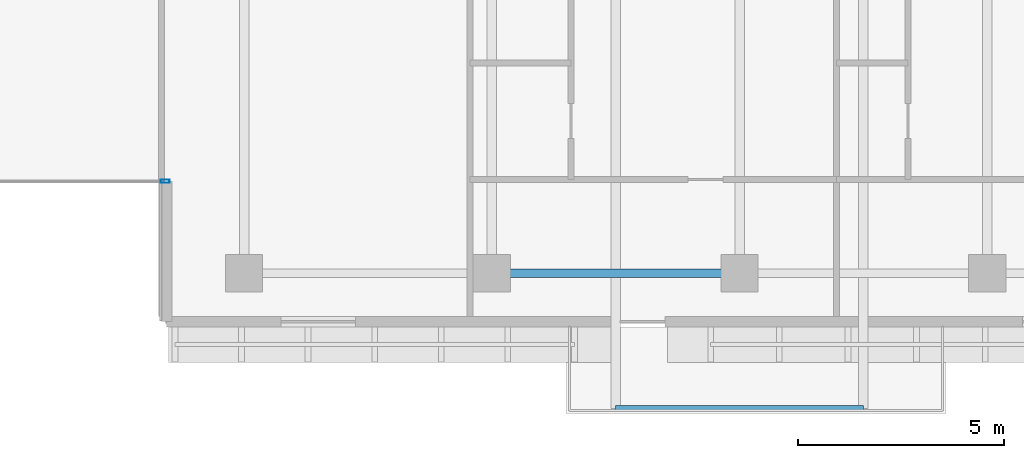
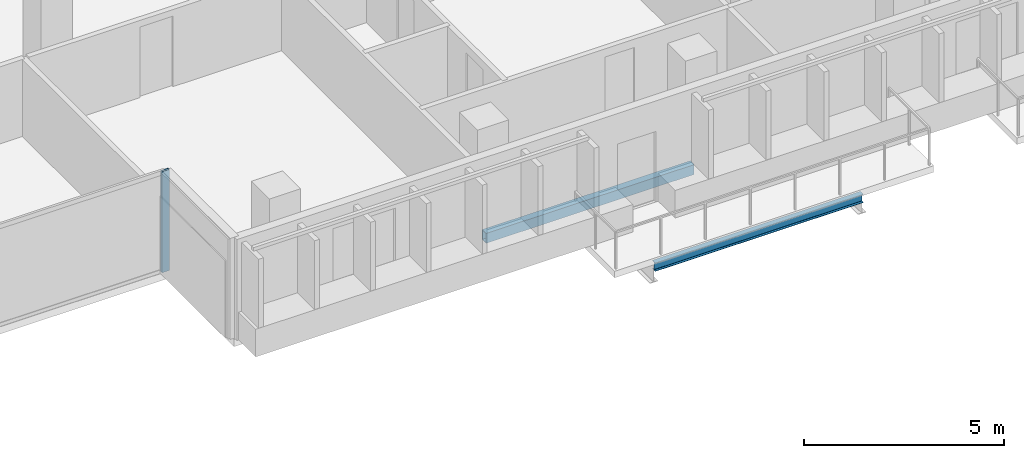
# One storey, part 4 of 20: 2 beams, 1 member, 1 element without a shape of its own.
"""IFC4 building model written with IfcOpenShell, lengths in metres."""

from ifc_helpers import new_model, si_unit, direction, frame, origin, origin_2d, place, context, subcontext, project, spatial, hollow_rectangle, i_section, extrude, material, layer, layer_set, material_profile, profile_set, type_object, element, aggregate, save


model = new_model("IFC4")

# Units and contexts
model_context = context("Model", 3, precision=1e-05, world=origin(), true_north=direction((0.0, 1.0)))
body_context = subcontext(model_context, "Body", "Model", "MODEL_VIEW")
ifc_project = project(units=[si_unit("LENGTHUNIT", "METRE"), si_unit("AREAUNIT", "SQUARE_METRE"), si_unit("VOLUMEUNIT", "CUBIC_METRE"), si_unit("PLANEANGLEUNIT", "RADIAN"), si_unit("MASSUNIT", "GRAM", prefix="KILO")], contexts=[model_context])

# Site, building, storey
site_placement = place(None, origin())
site = spatial("IfcSite", under=ifc_project, at=site_placement, CompositionType="ELEMENT")
building_placement = place(site_placement, origin())
building = spatial("IfcBuilding", under=site, at=building_placement, Name="Tanjung Sevakor Pilgrim Tower", CompositionType="ELEMENT")
storey_placement = place(building_placement, frame((0.0, 0.0, 141.89990234375)))
storey = spatial("IfcBuildingStorey", under=building, at=storey_placement, Name="L39", CompositionType="ELEMENT", Elevation=141.89990234375)

# Beams
ifc_material_1 = material(Name="Steel S355J2", Category="steel")
ifc_material_profile_1 = material_profile(ifc_material_1, i_section(OverallWidth=0.146484375, OverallDepth=0.256103515625, WebThickness=0.00634765625, FlangeThickness=0.010986328125, FilletRadius=0.007568359375, at=origin_2d()))
ifc_profile_set_1 = profile_set([ifc_material_profile_1], Name="Steel S355J2")
beam_type_1 = type_object("IfcBeamType", Name="BM-B-J6-UB_254x146x37", PredefinedType="JOIST", material=ifc_profile_set_1)
beam_1_placement = place(storey_placement, frame((63.0, 9.919921875, -0.327880859375), z_axis=(1.0, 0.0, 0.0), x_axis=(0.0, 1.0, 0.0)))
element("IfcBeam", 1, at=beam_1_placement, inside=storey, type_object=beam_type_1, Name="L39 Balcony Rim Tie MAIN-S2", PredefinedType="JOIST", context=body_context, shape_type="SweptSolid", body=[
    extrude(i_section(OverallWidth=0.146484375, OverallDepth=0.256103515625, WebThickness=0.00634765625, FlangeThickness=0.010986328125, FilletRadius=0.007568359375, at=origin_2d()), origin(), (0.0, 0.0, 1.0), 6.0),
])
ifc_material_2 = material(Name="Steel S355J2", Category="steel")
ifc_material_profile_2 = material_profile(ifc_material_2, hollow_rectangle(XDim=0.199951171875, YDim=0.300048828125, WallThickness=0.012451171875, at=origin_2d()))
ifc_profile_set_2 = profile_set([ifc_material_profile_2], Name="Steel S355J2")
beam_type_2 = type_object("IfcBeamType", Name="BM-B-SP3-RHS_300x200x12.5", PredefinedType="SPANDREL", material=ifc_profile_set_2)
beam_2_placement = place(storey_placement, frame((60.0, 13.199951171875, -0.369873046875), z_axis=(1.0, 0.0, 0.0), x_axis=(0.0, 1.0, 0.0)))
element("IfcBeam", 2, at=beam_2_placement, inside=storey, type_object=beam_type_2, Name="L39 Spandrel MAIN S-09", PredefinedType="SPANDREL", context=body_context, shape_type="SweptSolid", body=[
    extrude(hollow_rectangle(XDim=0.199951171875, YDim=0.300048828125, WallThickness=0.012451171875, at=origin_2d()), origin(), (0.0, 0.0, 1.0), 6.0),
])

# Curtain wall, member
ifc_material_3 = material(Name="Aluminium 6063-T6 and Low-E Glass", Category="aluminium")
ifc_layer = layer(ifc_material_3, 0.179931640625)
ifc_layer_set = layer_set([ifc_layer], Name="CW-SYS-CLEFT")
curtain_wall_type = type_object("IfcCurtainWallType", Name="CW-SYS-CLEFT", PredefinedType="NOTDEFINED", material=ifc_layer_set)
curtain_wall_placement = place(storey_placement, origin())
curtain_wall = element("IfcCurtainWall", 3, at=curtain_wall_placement, inside=storey, type_object=curtain_wall_type, Name="L39 Curtain Wall CW-CLF-L39-2", PredefinedType="NOTDEFINED")
ifc_material_4 = material(Name="Aluminium 6063-T6", Category="aluminium")
ifc_material_profile_3 = material_profile(ifc_material_4, hollow_rectangle(XDim=0.074951171875, YDim=0.219970703125, WallThickness=0.0048828125, at=origin_2d()))
ifc_profile_set_3 = profile_set([ifc_material_profile_3], Name="Aluminium 6063-T6")
member_type = type_object("IfcMemberType", Name="TYPE-CWM-2", PredefinedType="MULLION", material=ifc_profile_set_3)
member_placement = place(storey_placement, frame((52.08740234375, 15.425048828125, 0.0), z_axis=(0.0, 0.0, 1.0), x_axis=(0.0, 1.0, 0.0)))
member = element("IfcMember", 4, at=member_placement, type_object=member_type, Name="CW-CLF mullion 2", PredefinedType="MULLION", context=body_context, shape_type="SweptSolid", body=[
    extrude(hollow_rectangle(XDim=0.074951171875, YDim=0.219970703125, WallThickness=0.0048828125, at=origin_2d()), origin(), (0.0, 0.0, 1.0), 3.080078125),
])
aggregate(curtain_wall, [member])

save(model, "model.ifc")
